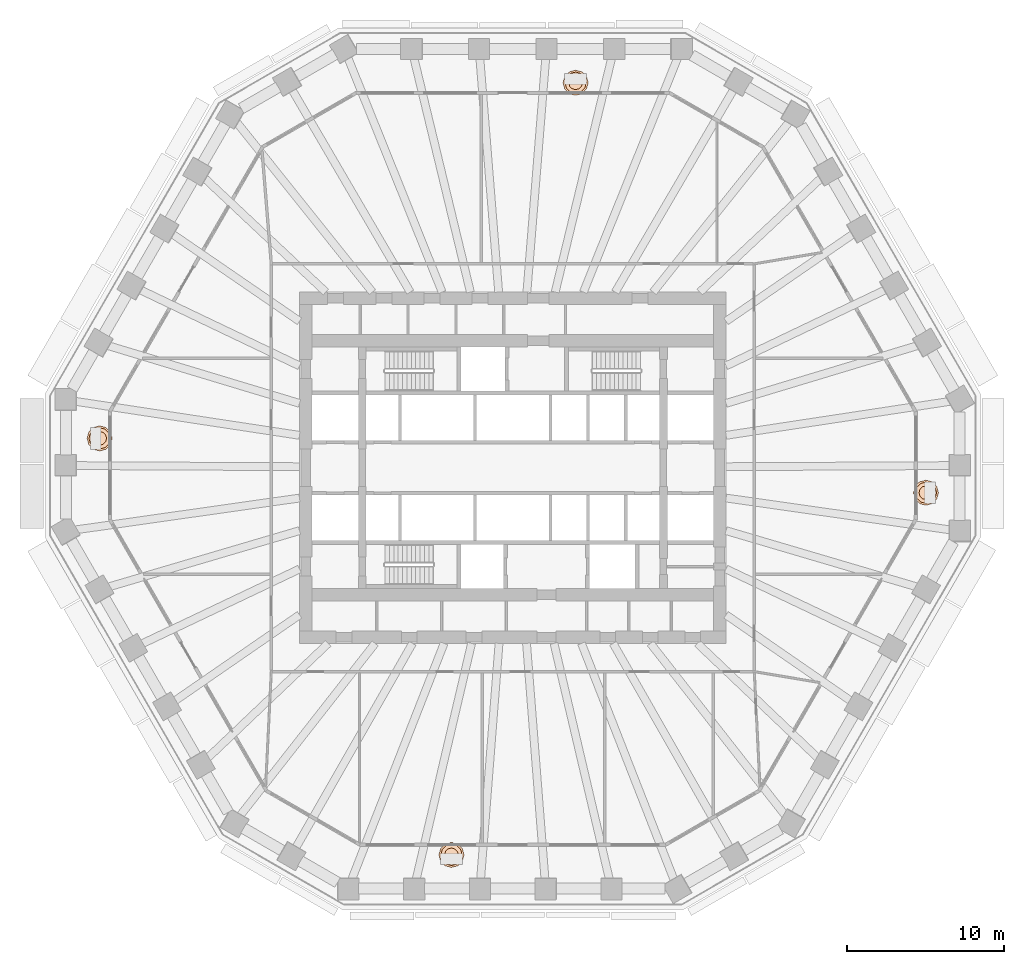
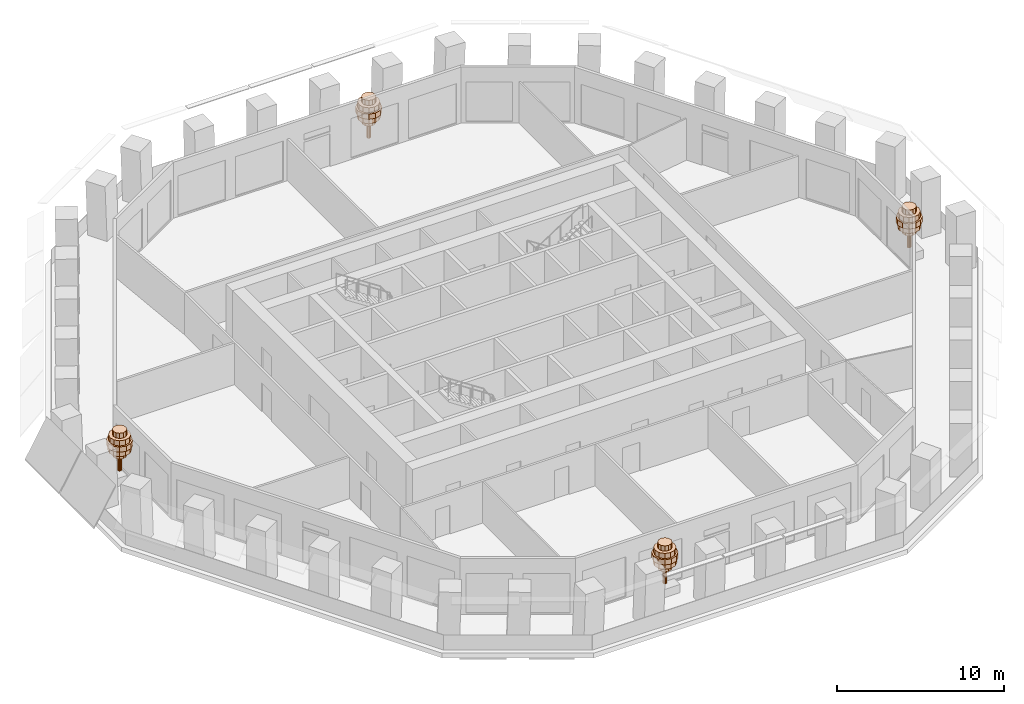
# One storey, part 12 of 12: 4 geographic elements.
"""IFC4 building model written with IfcOpenShell, lengths in metres."""

from ifc_helpers import new_model, si_unit, direction, frame, origin, place, context, subcontext, project, spatial, polyline, outline, extrude, material, type_object, element, save


model = new_model("IFC4")

# Units and contexts
model_context = context("Model", 3, precision=1e-05, world=origin(), true_north=direction((0.0, 1.0)))
body_context = subcontext(model_context, "Body", "Model", "MODEL_VIEW")
ifc_project = project(units=[si_unit("LENGTHUNIT", "METRE"), si_unit("AREAUNIT", "SQUARE_METRE"), si_unit("VOLUMEUNIT", "CUBIC_METRE"), si_unit("PLANEANGLEUNIT", "RADIAN"), si_unit("MASSUNIT", "GRAM", prefix="KILO")], contexts=[model_context])

# Site, building, storey
site_placement = place(None, origin())
site = spatial("IfcSite", under=ifc_project, at=site_placement, CompositionType="ELEMENT")
building_placement = place(site_placement, origin())
building = spatial("IfcBuilding", under=site, at=building_placement, Name="Frailejon Research Tower", CompositionType="ELEMENT")
storey_placement = place(building_placement, frame((0.0, 0.0, 85.199951171875)))
storey = spatial("IfcBuildingStorey", under=building, at=storey_placement, Name="L18", CompositionType="ELEMENT", Elevation=85.199951171875)

# Geographic elements
ifc_material = material(Name="Foliage, green")
geographic_element_type = type_object("IfcGeographicElementType", Name="Frailejon tree, loggia", PredefinedType="USERDEFINED", material=ifc_material)
geographic_element_1_placement = place(storey_placement, frame((26.342529296875, -1.59375, 0.60009765625)))
element("IfcGeographicElement", 1, at=geographic_element_1_placement, inside=storey, type_object=geographic_element_type, Name="Tree L18", ObjectType="TREE", PredefinedType="USERDEFINED", context=body_context, shape_type="SweptSolid", body=[
    extrude(outline(polyline([(0.1298828125, 0.0), (0.112548828125, 0.06494140625), (0.06494140625, 0.112548828125), (0.0, 0.1298828125), (-0.06494140625, 0.112548828125), (-0.112548828125, 0.06494140625), (-0.1298828125, 0.0), (-0.112548828125, -0.06494140625), (-0.06494140625, -0.112548828125), (0.0, -0.1298828125), (0.06494140625, -0.112548828125), (0.112548828125, -0.06494140625), (0.1298828125, 0.0)])), origin(), (0.0, 0.0, 1.0), 2.239990234375),
    extrude(outline(polyline([(0.43994140625, 0.0), (0.381103515625, 0.219970703125), (0.219970703125, 0.381103515625), (0.0, 0.43994140625), (-0.219970703125, 0.381103515625), (-0.381103515625, 0.219970703125), (-0.43994140625, 0.0), (-0.381103515625, -0.219970703125), (-0.219970703125, -0.381103515625), (0.0, -0.43994140625), (0.219970703125, -0.381103515625), (0.381103515625, -0.219970703125), (0.43994140625, 0.0)])), frame((0.0, 0.0, 1.10009765625)), (0.0, 0.0, 1.0), 0.3798828125),
    extrude(outline(polyline([(0.719970703125, 0.0), (0.62353515625, 0.360107421875), (0.360107421875, 0.62353515625), (0.0, 0.719970703125), (-0.360107421875, 0.62353515625), (-0.62353515625, 0.360107421875), (-0.719970703125, 0.0), (-0.62353515625, -0.360107421875), (-0.360107421875, -0.62353515625), (0.0, -0.719970703125), (0.360107421875, -0.62353515625), (0.62353515625, -0.360107421875), (0.719970703125, 0.0)])), frame((0.0, 0.0, 1.47998046875)), (0.0, 0.0, 1.0), 0.3798828125),
    extrude(outline(polyline([(0.800048828125, 0.0), (0.69287109375, 0.39990234375), (0.39990234375, 0.69287109375), (0.0, 0.800048828125), (-0.39990234375, 0.69287109375), (-0.69287109375, 0.39990234375), (-0.800048828125, 0.0), (-0.69287109375, -0.39990234375), (-0.39990234375, -0.69287109375), (0.0, -0.800048828125), (0.39990234375, -0.69287109375), (0.69287109375, -0.39990234375), (0.800048828125, 0.0)])), frame((0.0, 0.0, 1.860107421875)), (0.0, 0.0, 1.0), 0.3798828125),
    extrude(outline(polyline([(0.679931640625, 0.0), (0.5888671875, 0.340087890625), (0.340087890625, 0.5888671875), (0.0, 0.679931640625), (-0.340087890625, 0.5888671875), (-0.5888671875, 0.340087890625), (-0.679931640625, 0.0), (-0.5888671875, -0.340087890625), (-0.340087890625, -0.5888671875), (0.0, -0.679931640625), (0.340087890625, -0.5888671875), (0.5888671875, -0.340087890625), (0.679931640625, 0.0)])), frame((0.0, 0.0, 2.239990234375)), (0.0, 0.0, 1.0), 0.3798828125),
    extrude(outline(polyline([(0.43994140625, 0.0), (0.381103515625, 0.219970703125), (0.219970703125, 0.381103515625), (0.0, 0.43994140625), (-0.219970703125, 0.381103515625), (-0.381103515625, 0.219970703125), (-0.43994140625, 0.0), (-0.381103515625, -0.219970703125), (-0.219970703125, -0.381103515625), (0.0, -0.43994140625), (0.219970703125, -0.381103515625), (0.381103515625, -0.219970703125), (0.43994140625, 0.0)])), frame((0.0, 0.0, 2.6201171875)), (0.0, 0.0, 1.0), 0.3798828125),
])
geographic_element_2_placement = place(storey_placement, frame((4.00634765625, 24.550048828125, 0.60009765625)))
element("IfcGeographicElement", 2, at=geographic_element_2_placement, inside=storey, type_object=geographic_element_type, Name="Tree L18", ObjectType="TREE", PredefinedType="USERDEFINED", context=body_context, shape_type="SweptSolid", body=[
    extrude(outline(polyline([(0.1298828125, 0.0), (0.112548828125, 0.06494140625), (0.06494140625, 0.112548828125), (0.0, 0.1298828125), (-0.06494140625, 0.112548828125), (-0.112548828125, 0.06494140625), (-0.1298828125, 0.0), (-0.112548828125, -0.06494140625), (-0.06494140625, -0.112548828125), (0.0, -0.1298828125), (0.06494140625, -0.112548828125), (0.112548828125, -0.06494140625), (0.1298828125, 0.0)])), origin(), (0.0, 0.0, 1.0), 2.239990234375),
    extrude(outline(polyline([(0.43994140625, 0.0), (0.381103515625, 0.219970703125), (0.219970703125, 0.381103515625), (0.0, 0.43994140625), (-0.219970703125, 0.381103515625), (-0.381103515625, 0.219970703125), (-0.43994140625, 0.0), (-0.381103515625, -0.219970703125), (-0.219970703125, -0.381103515625), (0.0, -0.43994140625), (0.219970703125, -0.381103515625), (0.381103515625, -0.219970703125), (0.43994140625, 0.0)])), frame((0.0, 0.0, 1.10009765625)), (0.0, 0.0, 1.0), 0.3798828125),
    extrude(outline(polyline([(0.719970703125, 0.0), (0.62353515625, 0.360107421875), (0.360107421875, 0.62353515625), (0.0, 0.719970703125), (-0.360107421875, 0.62353515625), (-0.62353515625, 0.360107421875), (-0.719970703125, 0.0), (-0.62353515625, -0.360107421875), (-0.360107421875, -0.62353515625), (0.0, -0.719970703125), (0.360107421875, -0.62353515625), (0.62353515625, -0.360107421875), (0.719970703125, 0.0)])), frame((0.0, 0.0, 1.47998046875)), (0.0, 0.0, 1.0), 0.3798828125),
    extrude(outline(polyline([(0.800048828125, 0.0), (0.69287109375, 0.39990234375), (0.39990234375, 0.69287109375), (0.0, 0.800048828125), (-0.39990234375, 0.69287109375), (-0.69287109375, 0.39990234375), (-0.800048828125, 0.0), (-0.69287109375, -0.39990234375), (-0.39990234375, -0.69287109375), (0.0, -0.800048828125), (0.39990234375, -0.69287109375), (0.69287109375, -0.39990234375), (0.800048828125, 0.0)])), frame((0.0, 0.0, 1.860107421875)), (0.0, 0.0, 1.0), 0.3798828125),
    extrude(outline(polyline([(0.679931640625, 0.0), (0.5888671875, 0.340087890625), (0.340087890625, 0.5888671875), (0.0, 0.679931640625), (-0.340087890625, 0.5888671875), (-0.5888671875, 0.340087890625), (-0.679931640625, 0.0), (-0.5888671875, -0.340087890625), (-0.340087890625, -0.5888671875), (0.0, -0.679931640625), (0.340087890625, -0.5888671875), (0.5888671875, -0.340087890625), (0.679931640625, 0.0)])), frame((0.0, 0.0, 2.239990234375)), (0.0, 0.0, 1.0), 0.3798828125),
    extrude(outline(polyline([(0.43994140625, 0.0), (0.381103515625, 0.219970703125), (0.219970703125, 0.381103515625), (0.0, 0.43994140625), (-0.219970703125, 0.381103515625), (-0.381103515625, 0.219970703125), (-0.43994140625, 0.0), (-0.381103515625, -0.219970703125), (-0.219970703125, -0.381103515625), (0.0, -0.43994140625), (0.219970703125, -0.381103515625), (0.381103515625, -0.219970703125), (0.43994140625, 0.0)])), frame((0.0, 0.0, 2.6201171875)), (0.0, 0.0, 1.0), 0.3798828125),
])
geographic_element_3_placement = place(storey_placement, frame((-26.342529296875, 1.870361328125, 0.60009765625)))
element("IfcGeographicElement", 3, at=geographic_element_3_placement, inside=storey, type_object=geographic_element_type, Name="Tree L18", ObjectType="TREE", PredefinedType="USERDEFINED", context=body_context, shape_type="SweptSolid", body=[
    extrude(outline(polyline([(0.1298828125, 0.0), (0.112548828125, 0.06494140625), (0.06494140625, 0.112548828125), (0.0, 0.1298828125), (-0.06494140625, 0.112548828125), (-0.112548828125, 0.06494140625), (-0.1298828125, 0.0), (-0.112548828125, -0.06494140625), (-0.06494140625, -0.112548828125), (0.0, -0.1298828125), (0.06494140625, -0.112548828125), (0.112548828125, -0.06494140625), (0.1298828125, 0.0)])), origin(), (0.0, 0.0, 1.0), 2.239990234375),
    extrude(outline(polyline([(0.43994140625, 0.0), (0.381103515625, 0.219970703125), (0.219970703125, 0.381103515625), (0.0, 0.43994140625), (-0.219970703125, 0.381103515625), (-0.381103515625, 0.219970703125), (-0.43994140625, 0.0), (-0.381103515625, -0.219970703125), (-0.219970703125, -0.381103515625), (0.0, -0.43994140625), (0.219970703125, -0.381103515625), (0.381103515625, -0.219970703125), (0.43994140625, 0.0)])), frame((0.0, 0.0, 1.10009765625)), (0.0, 0.0, 1.0), 0.3798828125),
    extrude(outline(polyline([(0.719970703125, 0.0), (0.62353515625, 0.360107421875), (0.360107421875, 0.62353515625), (0.0, 0.719970703125), (-0.360107421875, 0.62353515625), (-0.62353515625, 0.360107421875), (-0.719970703125, 0.0), (-0.62353515625, -0.360107421875), (-0.360107421875, -0.62353515625), (0.0, -0.719970703125), (0.360107421875, -0.62353515625), (0.62353515625, -0.360107421875), (0.719970703125, 0.0)])), frame((0.0, 0.0, 1.47998046875)), (0.0, 0.0, 1.0), 0.3798828125),
    extrude(outline(polyline([(0.800048828125, 0.0), (0.69287109375, 0.39990234375), (0.39990234375, 0.69287109375), (0.0, 0.800048828125), (-0.39990234375, 0.69287109375), (-0.69287109375, 0.39990234375), (-0.800048828125, 0.0), (-0.69287109375, -0.39990234375), (-0.39990234375, -0.69287109375), (0.0, -0.800048828125), (0.39990234375, -0.69287109375), (0.69287109375, -0.39990234375), (0.800048828125, 0.0)])), frame((0.0, 0.0, 1.860107421875)), (0.0, 0.0, 1.0), 0.3798828125),
    extrude(outline(polyline([(0.679931640625, 0.0), (0.5888671875, 0.340087890625), (0.340087890625, 0.5888671875), (0.0, 0.679931640625), (-0.340087890625, 0.5888671875), (-0.5888671875, 0.340087890625), (-0.679931640625, 0.0), (-0.5888671875, -0.340087890625), (-0.340087890625, -0.5888671875), (0.0, -0.679931640625), (0.340087890625, -0.5888671875), (0.5888671875, -0.340087890625), (0.679931640625, 0.0)])), frame((0.0, 0.0, 2.239990234375)), (0.0, 0.0, 1.0), 0.3798828125),
    extrude(outline(polyline([(0.43994140625, 0.0), (0.381103515625, 0.219970703125), (0.219970703125, 0.381103515625), (0.0, 0.43994140625), (-0.219970703125, 0.381103515625), (-0.381103515625, 0.219970703125), (-0.43994140625, 0.0), (-0.381103515625, -0.219970703125), (-0.219970703125, -0.381103515625), (0.0, -0.43994140625), (0.219970703125, -0.381103515625), (0.381103515625, -0.219970703125), (0.43994140625, 0.0)])), frame((0.0, 0.0, 2.6201171875)), (0.0, 0.0, 1.0), 0.3798828125),
])
geographic_element_4_placement = place(storey_placement, frame((-3.91064453125, -24.688232421875, 0.60009765625)))
element("IfcGeographicElement", 4, at=geographic_element_4_placement, inside=storey, type_object=geographic_element_type, Name="Tree L18", ObjectType="TREE", PredefinedType="USERDEFINED", context=body_context, shape_type="SweptSolid", body=[
    extrude(outline(polyline([(0.1298828125, 0.0), (0.112548828125, 0.06494140625), (0.06494140625, 0.112548828125), (0.0, 0.1298828125), (-0.06494140625, 0.112548828125), (-0.112548828125, 0.06494140625), (-0.1298828125, 0.0), (-0.112548828125, -0.06494140625), (-0.06494140625, -0.112548828125), (0.0, -0.1298828125), (0.06494140625, -0.112548828125), (0.112548828125, -0.06494140625), (0.1298828125, 0.0)])), origin(), (0.0, 0.0, 1.0), 2.239990234375),
    extrude(outline(polyline([(0.43994140625, 0.0), (0.381103515625, 0.219970703125), (0.219970703125, 0.381103515625), (0.0, 0.43994140625), (-0.219970703125, 0.381103515625), (-0.381103515625, 0.219970703125), (-0.43994140625, 0.0), (-0.381103515625, -0.219970703125), (-0.219970703125, -0.381103515625), (0.0, -0.43994140625), (0.219970703125, -0.381103515625), (0.381103515625, -0.219970703125), (0.43994140625, 0.0)])), frame((0.0, 0.0, 1.10009765625)), (0.0, 0.0, 1.0), 0.3798828125),
    extrude(outline(polyline([(0.719970703125, 0.0), (0.62353515625, 0.360107421875), (0.360107421875, 0.62353515625), (0.0, 0.719970703125), (-0.360107421875, 0.62353515625), (-0.62353515625, 0.360107421875), (-0.719970703125, 0.0), (-0.62353515625, -0.360107421875), (-0.360107421875, -0.62353515625), (0.0, -0.719970703125), (0.360107421875, -0.62353515625), (0.62353515625, -0.360107421875), (0.719970703125, 0.0)])), frame((0.0, 0.0, 1.47998046875)), (0.0, 0.0, 1.0), 0.3798828125),
    extrude(outline(polyline([(0.800048828125, 0.0), (0.69287109375, 0.39990234375), (0.39990234375, 0.69287109375), (0.0, 0.800048828125), (-0.39990234375, 0.69287109375), (-0.69287109375, 0.39990234375), (-0.800048828125, 0.0), (-0.69287109375, -0.39990234375), (-0.39990234375, -0.69287109375), (0.0, -0.800048828125), (0.39990234375, -0.69287109375), (0.69287109375, -0.39990234375), (0.800048828125, 0.0)])), frame((0.0, 0.0, 1.860107421875)), (0.0, 0.0, 1.0), 0.3798828125),
    extrude(outline(polyline([(0.679931640625, 0.0), (0.5888671875, 0.340087890625), (0.340087890625, 0.5888671875), (0.0, 0.679931640625), (-0.340087890625, 0.5888671875), (-0.5888671875, 0.340087890625), (-0.679931640625, 0.0), (-0.5888671875, -0.340087890625), (-0.340087890625, -0.5888671875), (0.0, -0.679931640625), (0.340087890625, -0.5888671875), (0.5888671875, -0.340087890625), (0.679931640625, 0.0)])), frame((0.0, 0.0, 2.239990234375)), (0.0, 0.0, 1.0), 0.3798828125),
    extrude(outline(polyline([(0.43994140625, 0.0), (0.381103515625, 0.219970703125), (0.219970703125, 0.381103515625), (0.0, 0.43994140625), (-0.219970703125, 0.381103515625), (-0.381103515625, 0.219970703125), (-0.43994140625, 0.0), (-0.381103515625, -0.219970703125), (-0.219970703125, -0.381103515625), (0.0, -0.43994140625), (0.219970703125, -0.381103515625), (0.381103515625, -0.219970703125), (0.43994140625, 0.0)])), frame((0.0, 0.0, 2.6201171875)), (0.0, 0.0, 1.0), 0.3798828125),
])

save(model, "model.ifc")
